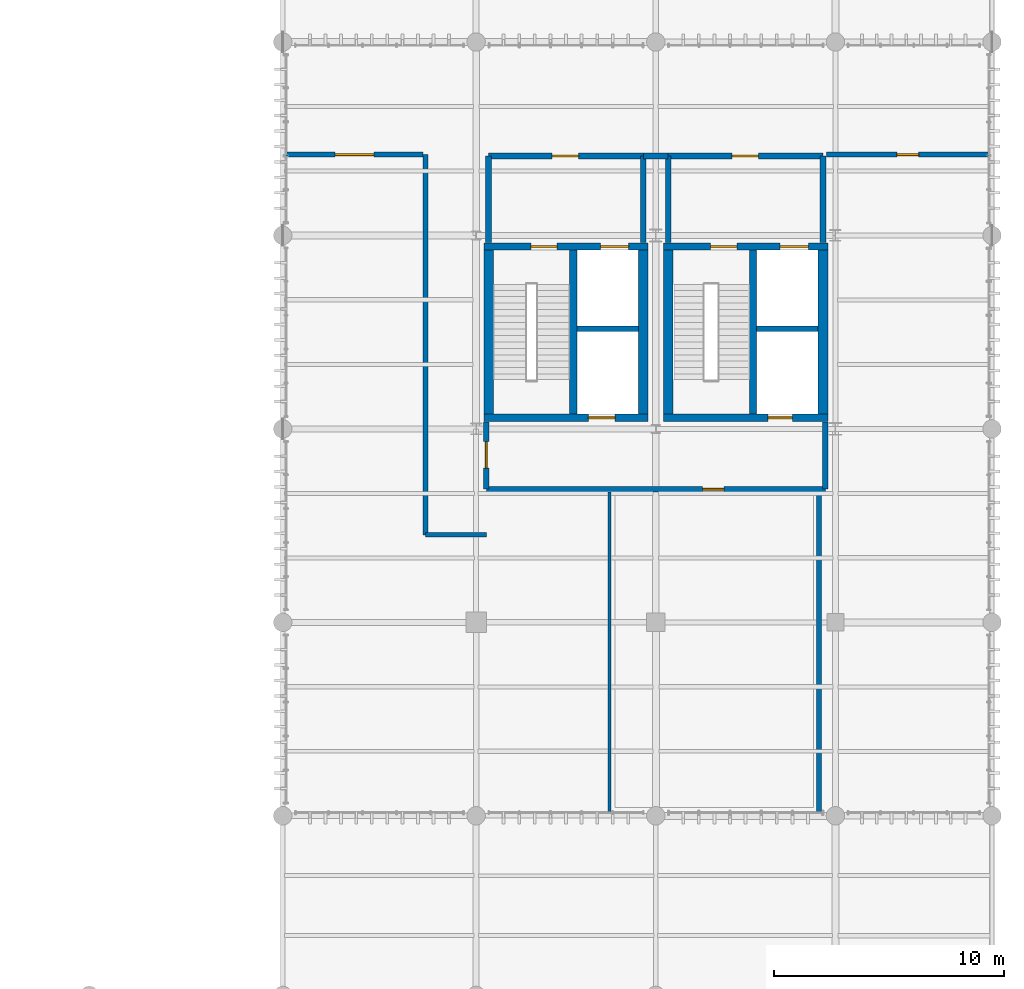
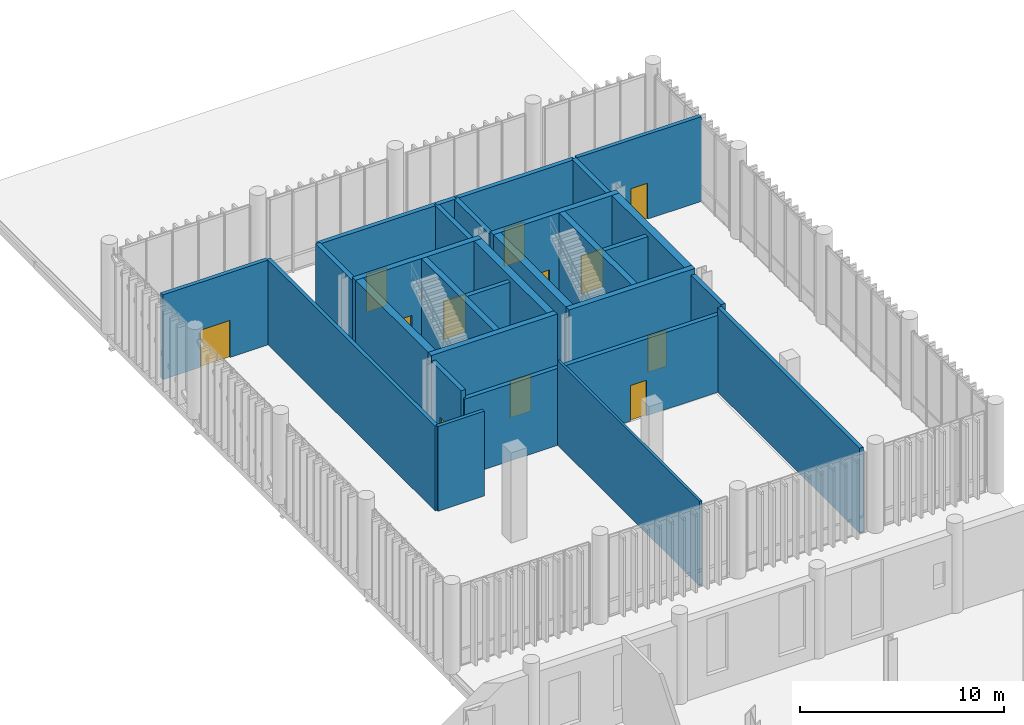
# One storey, part 113 of 128: 28 walls, 12 doors, 12 openings.
"""IFC4 building model written with IfcOpenShell, lengths in metres."""

from ifc_helpers import new_model, si_unit, direction, frame, frame_2d, origin_with_axes, place, context, subcontext, project, spatial, rectangle, extrude, material, layer, layer_set, type_object, element, fill, save


model = new_model("IFC4")

# Units and contexts
model_context = context("Model", 3, precision=1e-05, world=origin_with_axes(), true_north=direction((0.0, 1.0)))
body_context = subcontext(model_context, "Body", "Model", "MODEL_VIEW")
ifc_project = project(units=[si_unit("LENGTHUNIT", "METRE"), si_unit("AREAUNIT", "SQUARE_METRE"), si_unit("VOLUMEUNIT", "CUBIC_METRE"), si_unit("PLANEANGLEUNIT", "RADIAN"), si_unit("MASSUNIT", "GRAM", prefix="KILO"), si_unit("THERMODYNAMICTEMPERATUREUNIT", "KELVIN")], contexts=[model_context])

# Site, building, storey
site_placement = place(None, origin_with_axes())
site = spatial("IfcSite", under=ifc_project, at=site_placement, CompositionType="ELEMENT")
building_placement = place(site_placement, origin_with_axes())
building = spatial("IfcBuilding", under=site, at=building_placement, Name="Montbau Bow Law Courts", CompositionType="ELEMENT")
storey_placement = place(building_placement, frame((0.0, 0.0, 5.4), z_axis=(0.0, 0.0, 1.0), x_axis=(1.0, 0.0, 0.0)))
storey = spatial("IfcBuildingStorey", under=building, at=storey_placement, Name="L01", CompositionType="ELEMENT", Elevation=5.4)

# Walls
ifc_material_1 = material(Name="Concrete CSA A23.1 f'c 45 MPa", Category="concrete")
ifc_layer_1 = layer(ifc_material_1, 0.42, Name="Shear Wall", Category="concrete")
ifc_layer_set_1 = layer_set([ifc_layer_1], Name="Concrete CSA A23.1 f'c 45 MPa")
wall_type_1 = type_object("IfcWallType", Name="W-COR-03", PredefinedType="SHEAR", material=ifc_layer_set_1)
for number, where, z_axis, x_axis, name in (
    (1, (154.26, 87.04, 5.4), (0.0, 0.0, 1.0), (0.0, 1.0, 0.0), "WC-L01-0285:wal_0352"),
    (2, (147.54, 94.16, 5.4), (0.0, 0.0, 1.0), (0.0, -1.0, 0.0), "WC-L01-0286:wal_0353"),
    (3, (162.06, 87.04, 5.4), (0.0, 0.0, 1.0), (0.0, 1.0, 0.0), "WC-L01-0397:wal_0464"),
    (4, (155.34, 94.16, 5.4), (0.0, 0.0, 1.0), (0.0, -1.0, 0.0), "WC-L01-0398:wal_0465"),
):
    element("IfcWall", number, at=place(None, frame(where, z_axis=z_axis, x_axis=x_axis)), inside=storey, type_object=wall_type_1, Name=name, PredefinedType="SHEAR", context=body_context, shape_type="SweptSolid", body=[
        extrude(rectangle(XDim=7.11999999999999, YDim=0.42, at=frame_2d((3.56, 0.0), x_axis=(1.0, 0.0))), origin_with_axes(), (0.0, 0.0, 1.0), 5.4),
    ])

# Wall, opening, door
ifc_layer_2 = layer(ifc_material_1, 0.32, Name="Shear Wall", Category="concrete")
ifc_layer_set_2 = layer_set([ifc_layer_2], Name="Concrete CSA A23.1 f'c 45 MPa")
wall_type_2 = type_object("IfcWallType", Name="W-COR-05", PredefinedType="SHEAR", material=ifc_layer_set_2)
wall_1_placement = place(None, frame((147.33, 86.88, 5.4), z_axis=(0.0, 0.0, 1.0), x_axis=(1.0, 0.0, 0.0)))
wall_1 = element("IfcWall", 5, at=wall_1_placement, inside=storey, type_object=wall_type_2, Name="WC-L01-0283:wal_0350", PredefinedType="SHEAR", context=body_context, shape_type="SweptSolid", body=[
    extrude(rectangle(XDim=7.139999999999986, YDim=0.32, at=frame_2d((3.57, 0.0), x_axis=(1.0, 0.0))), origin_with_axes(), (0.0, 0.0, 1.0), 5.4),
])
opening_1_placement = place(None, frame((152.45, 86.88, 5.4), z_axis=(0.0, 0.0, 1.0), x_axis=(1.0, 0.0, 0.0)))
opening_1 = element("IfcOpeningElement", 6, at=opening_1_placement, cuts=wall_1, Name="OP-LD-L01-EL-P4", PredefinedType="OPENING", context=body_context, shape_type="SweptSolid", body=[
    extrude(rectangle(XDim=1.16, YDim=2.2, at=frame_2d((0.0, 1.1), x_axis=(1.0, 0.0))), frame((0.0, 0.17, 0.0), z_axis=(0.0, -1.0, 0.0), x_axis=(1.0, 0.0, 0.0)), (0.0, 0.0, 1.0), 0.34),
])
ifc_material_2 = material(Name="Brushed Stainless Steel Elevator Landing Door", Category="steel")
door_type_1 = type_object("IfcDoorType", Name="LD-PUB-01", OperationType="NOTDEFINED", ParameterTakesPrecedence=False, PredefinedType="DOOR", material=ifc_material_2)
door_1_placement = place(None, frame((152.45, 86.88, 5.4), z_axis=(0.0, 0.0, 1.0), x_axis=(-1.0, 0.0, 0.0)))
door_1 = element("IfcDoor", 7, at=door_1_placement, inside=storey, type_object=door_type_1, Name="LD-L01-EL-P4:dor_0146", OperationType="SLIDING_TO_LEFT", OverallHeight=2.2, OverallWidth=1.16, PredefinedType="DOOR", context=body_context, shape_type="SweptSolid", body=[
    extrude(rectangle(XDim=1.16, YDim=2.2, at=frame_2d((0.0, 1.1), x_axis=(1.0, 0.0))), frame((0.0, 0.04, 0.0), z_axis=(0.0, -1.0, 0.0), x_axis=(1.0, 0.0, 0.0)), (0.0, 0.0, 1.0), 0.08),
])
fill(opening_1, door_1)

# Wall, openings, doors
wall_2_placement = place(None, frame((154.47, 94.32, 5.4), z_axis=(0.0, 0.0, 1.0), x_axis=(-1.0, 0.0, 0.0)))
wall_2 = element("IfcWall", 8, at=wall_2_placement, inside=storey, type_object=wall_type_2, Name="WC-L01-0284:wal_0351", PredefinedType="SHEAR", context=body_context, shape_type="SweptSolid", body=[
    extrude(rectangle(XDim=7.139999999999986, YDim=0.32, at=frame_2d((3.57, 0.0), x_axis=(1.0, 0.0))), origin_with_axes(), (0.0, 0.0, 1.0), 5.4),
])
opening_2_placement = place(None, frame((149.95, 94.32, 5.4), z_axis=(0.0, 0.0, 1.0), x_axis=(-1.0, 0.0, 0.0)))
opening_2 = element("IfcOpeningElement", 9, at=opening_2_placement, cuts=wall_2, Name="OP-D-L01-ST-P2", PredefinedType="OPENING", context=body_context, shape_type="SweptSolid", body=[
    extrude(rectangle(XDim=1.14, YDim=2.18, at=frame_2d((0.0, 1.09), x_axis=(1.0, 0.0))), frame((0.0, 0.17, 0.0), z_axis=(0.0, -1.0, 0.0), x_axis=(1.0, 0.0, 0.0)), (0.0, 0.0, 1.0), 0.34),
])
opening_3_placement = place(None, frame((153.01, 94.32, 5.4), z_axis=(0.0, 0.0, 1.0), x_axis=(-1.0, 0.0, 0.0)))
opening_3 = element("IfcOpeningElement", 10, at=opening_3_placement, cuts=wall_2, Name="OP-LD-L01-EL-FF1", PredefinedType="OPENING", context=body_context, shape_type="SweptSolid", body=[
    extrude(rectangle(XDim=1.22, YDim=2.28, at=frame_2d((0.0, 1.14), x_axis=(1.0, 0.0))), frame((0.0, 0.17, 0.0), z_axis=(0.0, -1.0, 0.0), x_axis=(1.0, 0.0, 0.0)), (0.0, 0.0, 1.0), 0.34),
])
ifc_material_3 = material(Name="1.5 h Fire-Rated Hollow-Metal Exit Stair Door", Category="steel")
door_type_2 = type_object("IfcDoorType", Name="D-ST-01", OperationType="NOTDEFINED", ParameterTakesPrecedence=False, PredefinedType="DOOR", material=ifc_material_3)
door_2_placement = place(None, frame((149.95, 94.32, 5.4), z_axis=(0.0, 0.0, 1.0), x_axis=(1.0, 0.0, 0.0)))
door_2 = element("IfcDoor", 11, at=door_2_placement, inside=storey, type_object=door_type_2, Name="D-L01-ST-P2:dor_0144", OperationType="SINGLE_SWING_LEFT", OverallHeight=2.18, OverallWidth=1.14, PredefinedType="DOOR", context=body_context, shape_type="SweptSolid", body=[
    extrude(rectangle(XDim=1.14, YDim=2.18, at=frame_2d((0.0, 1.09), x_axis=(1.0, 0.0))), frame((0.0, 0.04, 0.0), z_axis=(0.0, -1.0, 0.0), x_axis=(1.0, 0.0, 0.0)), (0.0, 0.0, 1.0), 0.08),
])
fill(opening_2, door_2)
ifc_material_4 = material(Name="CSA B44 Firefighters Elevator Landing Door", Category="steel")
door_type_3 = type_object("IfcDoorType", Name="LD-FFE-01", OperationType="NOTDEFINED", ParameterTakesPrecedence=False, PredefinedType="DOOR", material=ifc_material_4)
door_3_placement = place(None, frame((153.01, 94.32, 5.4), z_axis=(0.0, 0.0, 1.0), x_axis=(1.0, 0.0, 0.0)))
door_3 = element("IfcDoor", 12, at=door_3_placement, inside=storey, type_object=door_type_3, Name="LD-L01-EL-FF1:dor_0145", OperationType="SLIDING_TO_LEFT", OverallHeight=2.28, OverallWidth=1.22, PredefinedType="DOOR", context=body_context, shape_type="SweptSolid", body=[
    extrude(rectangle(XDim=1.22, YDim=2.28, at=frame_2d((0.0, 1.14), x_axis=(1.0, 0.0))), frame((0.0, 0.04, 0.0), z_axis=(0.0, -1.0, 0.0), x_axis=(1.0, 0.0, 0.0)), (0.0, 0.0, 1.0), 0.08),
])
fill(opening_3, door_3)

# Wall
wall_3_placement = place(None, frame((151.22, 87.04, 5.4), z_axis=(0.0, 0.0, 1.0), x_axis=(0.0, 1.0, 0.0)))
element("IfcWall", 13, at=wall_3_placement, inside=storey, type_object=wall_type_2, Name="WS-L01-0287:wal_0354", PredefinedType="SHEAR", context=body_context, shape_type="SweptSolid", body=[
    extrude(rectangle(XDim=7.11999999999999, YDim=0.32, at=frame_2d((3.56, 0.0), x_axis=(1.0, 0.0))), origin_with_axes(), (0.0, 0.0, 1.0), 5.4),
])

# Wall, opening, door
wall_4_placement = place(None, frame((155.13, 86.88, 5.4), z_axis=(0.0, 0.0, 1.0), x_axis=(1.0, 0.0, 0.0)))
wall_4 = element("IfcWall", 14, at=wall_4_placement, inside=storey, type_object=wall_type_2, Name="WC-L01-0395:wal_0462", PredefinedType="SHEAR", context=body_context, shape_type="SweptSolid", body=[
    extrude(rectangle(XDim=7.140000000000015, YDim=0.32, at=frame_2d((3.57, 0.0), x_axis=(1.0, 0.0))), origin_with_axes(), (0.0, 0.0, 1.0), 5.4),
])
opening_4_placement = place(None, frame((160.2, 86.88, 5.4), z_axis=(0.0, 0.0, 1.0), x_axis=(1.0, 0.0, 0.0)))
opening_4 = element("IfcOpeningElement", 15, at=opening_4_placement, cuts=wall_4, Name="OP-LD-L01-EL-J2", PredefinedType="OPENING", context=body_context, shape_type="SweptSolid", body=[
    extrude(rectangle(XDim=1.06, YDim=2.16, at=frame_2d((0.0, 1.08), x_axis=(1.0, 0.0))), frame((0.0, 0.17, 0.0), z_axis=(0.0, -1.0, 0.0), x_axis=(1.0, 0.0, 0.0)), (0.0, 0.0, 1.0), 0.34),
])
ifc_material_5 = material(Name="Bronze-Clad Judicial Elevator Landing Door", Category="steel")
door_type_4 = type_object("IfcDoorType", Name="LD-JUD-01", OperationType="NOTDEFINED", ParameterTakesPrecedence=False, PredefinedType="DOOR", material=ifc_material_5)
door_4_placement = place(None, frame((160.2, 86.88, 5.4), z_axis=(0.0, 0.0, 1.0), x_axis=(-1.0, 0.0, 0.0)))
door_4 = element("IfcDoor", 16, at=door_4_placement, inside=storey, type_object=door_type_4, Name="LD-L01-EL-J2:dor_0187", OperationType="SLIDING_TO_LEFT", OverallHeight=2.16, OverallWidth=1.06, PredefinedType="DOOR", context=body_context, shape_type="SweptSolid", body=[
    extrude(rectangle(XDim=1.06, YDim=2.16, at=frame_2d((0.0, 1.08), x_axis=(1.0, 0.0))), frame((0.0, 0.04, 0.0), z_axis=(0.0, -1.0, 0.0), x_axis=(1.0, 0.0, 0.0)), (0.0, 0.0, 1.0), 0.08),
])
fill(opening_4, door_4)

# Wall, openings, doors
wall_5_placement = place(None, frame((162.27, 94.32, 5.4), z_axis=(0.0, 0.0, 1.0), x_axis=(-1.0, 0.0, 0.0)))
wall_5 = element("IfcWall", 17, at=wall_5_placement, inside=storey, type_object=wall_type_2, Name="WC-L01-0396:wal_0463", PredefinedType="SHEAR", context=body_context, shape_type="SweptSolid", body=[
    extrude(rectangle(XDim=7.140000000000015, YDim=0.32, at=frame_2d((3.57, 0.0), x_axis=(1.0, 0.0))), origin_with_axes(), (0.0, 0.0, 1.0), 5.4),
])
opening_5_placement = place(None, frame((157.75, 94.32, 5.4), z_axis=(0.0, 0.0, 1.0), x_axis=(-1.0, 0.0, 0.0)))
opening_5 = element("IfcOpeningElement", 18, at=opening_5_placement, cuts=wall_5, Name="OP-D-L01-ST-J2", PredefinedType="OPENING", context=body_context, shape_type="SweptSolid", body=[
    extrude(rectangle(XDim=1.14, YDim=2.18, at=frame_2d((0.0, 1.09), x_axis=(1.0, 0.0))), frame((0.0, 0.17, 0.0), z_axis=(0.0, -1.0, 0.0), x_axis=(1.0, 0.0, 0.0)), (0.0, 0.0, 1.0), 0.34),
])
opening_6_placement = place(None, frame((160.81, 94.32, 5.4), z_axis=(0.0, 0.0, 1.0), x_axis=(-1.0, 0.0, 0.0)))
opening_6 = element("IfcOpeningElement", 19, at=opening_6_placement, cuts=wall_5, Name="OP-LD-L01-EL-FF2", PredefinedType="OPENING", context=body_context, shape_type="SweptSolid", body=[
    extrude(rectangle(XDim=1.22, YDim=2.28, at=frame_2d((0.0, 1.14), x_axis=(1.0, 0.0))), frame((0.0, 0.17, 0.0), z_axis=(0.0, -1.0, 0.0), x_axis=(1.0, 0.0, 0.0)), (0.0, 0.0, 1.0), 0.34),
])
door_5_placement = place(None, frame((157.75, 94.32, 5.4), z_axis=(0.0, 0.0, 1.0), x_axis=(1.0, 0.0, 0.0)))
door_5 = element("IfcDoor", 20, at=door_5_placement, inside=storey, type_object=door_type_2, Name="D-L01-ST-J2:dor_0185", OperationType="SINGLE_SWING_RIGHT", OverallHeight=2.18, OverallWidth=1.14, PredefinedType="DOOR", context=body_context, shape_type="SweptSolid", body=[
    extrude(rectangle(XDim=1.14, YDim=2.18, at=frame_2d((0.0, 1.09), x_axis=(1.0, 0.0))), frame((0.0, 0.04, 0.0), z_axis=(0.0, -1.0, 0.0), x_axis=(1.0, 0.0, 0.0)), (0.0, 0.0, 1.0), 0.08),
])
fill(opening_5, door_5)
door_6_placement = place(None, frame((160.81, 94.32, 5.4), z_axis=(0.0, 0.0, 1.0), x_axis=(1.0, 0.0, 0.0)))
door_6 = element("IfcDoor", 21, at=door_6_placement, inside=storey, type_object=door_type_3, Name="LD-L01-EL-FF2:dor_0186", OperationType="SLIDING_TO_LEFT", OverallHeight=2.28, OverallWidth=1.22, PredefinedType="DOOR", context=body_context, shape_type="SweptSolid", body=[
    extrude(rectangle(XDim=1.22, YDim=2.28, at=frame_2d((0.0, 1.14), x_axis=(1.0, 0.0))), frame((0.0, 0.04, 0.0), z_axis=(0.0, -1.0, 0.0), x_axis=(1.0, 0.0, 0.0)), (0.0, 0.0, 1.0), 0.08),
])
fill(opening_6, door_6)

# Walls
wall_6_placement = place(None, frame((159.02, 87.04, 5.4), z_axis=(0.0, 0.0, 1.0), x_axis=(0.0, 1.0, 0.0)))
element("IfcWall", 22, at=wall_6_placement, inside=storey, type_object=wall_type_2, Name="WS-L01-0399:wal_0466", PredefinedType="SHEAR", context=body_context, shape_type="SweptSolid", body=[
    extrude(rectangle(XDim=7.11999999999999, YDim=0.32, at=frame_2d((3.56, 0.0), x_axis=(1.0, 0.0))), origin_with_axes(), (0.0, 0.0, 1.0), 5.4),
])
ifc_material_6 = material(Name="2 h Shaft and Exit-Passage Fire Separation Partition", Category="gypsum")
ifc_layer_3 = layer(ifc_material_6, 0.25, Name="Partition", Category="gypsum")
ifc_layer_set_3 = layer_set([ifc_layer_3], Name="2 h Shaft and Exit-Passage Fire Separation Partition")
wall_type_3 = type_object("IfcWallType", Name="W-PRT-01", PredefinedType="PARTITIONING", material=ifc_layer_set_3)
wall_7_placement = place(None, frame((151.38, 90.749, 5.4), z_axis=(0.0, 0.0, 1.0), x_axis=(1.0, 0.0, 0.0)))
element("IfcWall", 23, at=wall_7_placement, inside=storey, type_object=wall_type_3, Name="WS-L01-0288:wal_0355", PredefinedType="PARTITIONING", context=body_context, shape_type="SweptSolid", body=[
    extrude(rectangle(XDim=2.670000000000016, YDim=0.25, at=frame_2d((1.335, 0.0), x_axis=(1.0, 0.0))), origin_with_axes(), (0.0, 0.0, 1.0), 5.08),
])

# Wall, opening, door
wall_8_placement = place(None, frame((154.26, 98.25, 5.4), z_axis=(0.0, 0.0, 1.0), x_axis=(-1.0, 0.0, 0.0)))
wall_8 = element("IfcWall", 24, at=wall_8_placement, inside=storey, type_object=wall_type_3, Name="WFF-L01-0289:wal_0356", PredefinedType="PARTITIONING", context=body_context, shape_type="SweptSolid", body=[
    extrude(rectangle(XDim=6.719999999999999, YDim=0.25, at=frame_2d((3.36, 0.0), x_axis=(1.0, 0.0))), origin_with_axes(), (0.0, 0.0, 1.0), 5.08),
])
opening_7_placement = place(None, frame((150.875, 98.25, 5.4), z_axis=(0.0, 0.0, 1.0), x_axis=(-1.0, 0.0, 0.0)))
opening_7 = element("IfcOpeningElement", 25, at=opening_7_placement, cuts=wall_8, Name="OP-D-L01-FFL5", PredefinedType="OPENING", context=body_context, shape_type="SweptSolid", body=[
    extrude(rectangle(XDim=1.15, YDim=2.25, at=frame_2d((0.0, 1.125), x_axis=(1.0, 0.0))), frame((0.0, 0.135, 0.0), z_axis=(0.0, -1.0, 0.0), x_axis=(1.0, 0.0, 0.0)), (0.0, 0.0, 1.0), 0.27),
])
ifc_material_7 = material(Name="1.5 h Smoke-Sealed Firefighters Lobby Door", Category="steel")
door_type_5 = type_object("IfcDoorType", Name="D-FFL-01", OperationType="NOTDEFINED", ParameterTakesPrecedence=False, PredefinedType="DOOR", material=ifc_material_7)
door_7_placement = place(None, frame((150.875, 98.25, 5.4), z_axis=(0.0, 0.0, 1.0), x_axis=(1.0, 0.0, 0.0)))
door_7 = element("IfcDoor", 26, at=door_7_placement, inside=storey, type_object=door_type_5, Name="D-L01-FFL5:dor_0147", OperationType="SINGLE_SWING_RIGHT", OverallHeight=2.25, OverallWidth=1.15, PredefinedType="DOOR", context=body_context, shape_type="SweptSolid", body=[
    extrude(rectangle(XDim=1.15, YDim=2.25, at=frame_2d((0.0, 1.125), x_axis=(1.0, 0.0))), frame((0.0, 0.04, 0.0), z_axis=(0.0, -1.0, 0.0), x_axis=(1.0, 0.0, 0.0)), (0.0, 0.0, 1.0), 0.08),
])
fill(opening_7, door_7)

# Walls
for number, where, z_axis, x_axis, name in (
    (27, (147.54, 94.5, 5.4), (0.0, 0.0, 1.0), (0.0, 1.0, 0.0), "WFF-L01-0290:wal_0357"),
    (28, (154.26, 94.5, 5.4), (0.0, 0.0, 1.0), (0.0, 1.0, 0.0), "WFF-L01-0291:wal_0358"),
):
    element("IfcWall", number, at=place(None, frame(where, z_axis=z_axis, x_axis=x_axis)), inside=storey, type_object=wall_type_3, Name=name, PredefinedType="PARTITIONING", context=body_context, shape_type="SweptSolid", body=[
        extrude(rectangle(XDim=3.75, YDim=0.25, at=frame_2d((1.875, 0.0), x_axis=(1.0, 0.0))), origin_with_axes(), (0.0, 0.0, 1.0), 5.08),
    ])

# Wall, opening, door
wall_9_placement = place(None, frame((147.44, 83.78, 5.4), z_axis=(0.0, 0.0, 1.0), x_axis=(1.0, 0.0, 0.0)))
wall_9 = element("IfcWall", 29, at=wall_9_placement, inside=storey, type_object=wall_type_3, Name="WEL-L01-0292:wal_0359", PredefinedType="PARTITIONING", context=body_context, shape_type="SweptSolid", body=[
    extrude(rectangle(XDim=14.719999999999999, YDim=0.25, at=frame_2d((7.36, 0.0), x_axis=(1.0, 0.0))), origin_with_axes(), (0.0, 0.0, 1.0), 4.61),
])
opening_8_placement = place(None, frame((157.294, 83.78, 5.4), z_axis=(0.0, 0.0, 1.0), x_axis=(1.0, 0.0, 0.0)))
opening_8 = element("IfcOpeningElement", 30, at=opening_8_placement, cuts=wall_9, Name="OP-D-L01-291", PredefinedType="OPENING", context=body_context, shape_type="SweptSolid", body=[
    extrude(rectangle(XDim=0.92, YDim=2.14, at=frame_2d((0.0, 1.07), x_axis=(1.0, 0.0))), frame((0.0, 0.135, 0.0), z_axis=(0.0, -1.0, 0.0), x_axis=(1.0, 0.0, 0.0)), (0.0, 0.0, 1.0), 0.27),
])
ifc_material_8 = material(Name="Judicial Law Clerk and Registry Office Oak Door", Category="wood")
door_type_6 = type_object("IfcDoorType", Name="D-OFF-01", OperationType="NOTDEFINED", ParameterTakesPrecedence=False, PredefinedType="DOOR", material=ifc_material_8)
door_8_placement = place(None, frame((157.294, 83.78, 5.4), z_axis=(0.0, 0.0, 1.0), x_axis=(1.0, 0.0, 0.0)))
door_8 = element("IfcDoor", 31, at=door_8_placement, inside=storey, type_object=door_type_6, Name="D-L01-291:dor_0326", OperationType="SINGLE_SWING_LEFT", OverallHeight=2.14, OverallWidth=0.92, PredefinedType="DOOR", context=body_context, shape_type="SweptSolid", body=[
    extrude(rectangle(XDim=0.92, YDim=2.14, at=frame_2d((0.0, 1.07), x_axis=(1.0, 0.0))), frame((0.0, 0.04, 0.0), z_axis=(0.0, -1.0, 0.0), x_axis=(1.0, 0.0, 0.0)), (0.0, 0.0, 1.0), 0.08),
])
fill(opening_8, door_8)

# Wall
wall_10_placement = place(None, frame((162.16, 83.78, 5.4), z_axis=(0.0, 0.0, 1.0), x_axis=(0.0, 1.0, 0.0)))
element("IfcWall", 32, at=wall_10_placement, inside=storey, type_object=wall_type_3, Name="WEL-L01-0293:wal_0360", PredefinedType="PARTITIONING", context=body_context, shape_type="SweptSolid", body=[
    extrude(rectangle(XDim=2.9200000000000017, YDim=0.25, at=frame_2d((1.46, 0.0), x_axis=(1.0, 0.0))), origin_with_axes(), (0.0, 0.0, 1.0), 5.08),
])

# Wall, opening, door
wall_11_placement = place(None, frame((147.44, 86.7, 5.4), z_axis=(0.0, 0.0, 1.0), x_axis=(0.0, -1.0, 0.0)))
wall_11 = element("IfcWall", 33, at=wall_11_placement, inside=storey, type_object=wall_type_3, Name="WEL-L01-0294:wal_0361", PredefinedType="PARTITIONING", context=body_context, shape_type="SweptSolid", body=[
    extrude(rectangle(XDim=2.9200000000000017, YDim=0.25, at=frame_2d((1.46, 0.0), x_axis=(1.0, 0.0))), origin_with_axes(), (0.0, 0.0, 1.0), 5.08),
])
opening_9_placement = place(None, frame((147.44, 85.275, 5.4), z_axis=(0.0, 0.0, 1.0), x_axis=(0.0, -1.0, 0.0)))
opening_9 = element("IfcOpeningElement", 34, at=opening_9_placement, cuts=wall_11, Name="OP-D-L01-ELB-NE", PredefinedType="OPENING", context=body_context, shape_type="SweptSolid", body=[
    extrude(rectangle(XDim=1.15, YDim=2.25, at=frame_2d((0.0, 1.125), x_axis=(1.0, 0.0))), frame((0.0, 0.135, 0.0), z_axis=(0.0, -1.0, 0.0), x_axis=(1.0, 0.0, 0.0)), (0.0, 0.0, 1.0), 0.27),
])
door_9_placement = place(None, frame((147.44, 85.275, 5.4), z_axis=(0.0, 0.0, 1.0), x_axis=(0.0, -1.0, 0.0)))
door_9 = element("IfcDoor", 35, at=door_9_placement, inside=storey, type_object=door_type_5, Name="D-L01-ELB-NE:dor_0148", OperationType="SINGLE_SWING_LEFT", OverallHeight=2.25, OverallWidth=1.15, PredefinedType="DOOR", context=body_context, shape_type="SweptSolid", body=[
    extrude(rectangle(XDim=1.15, YDim=2.25, at=frame_2d((0.0, 1.125), x_axis=(1.0, 0.0))), frame((0.0, 0.04, 0.0), z_axis=(0.0, -1.0, 0.0), x_axis=(1.0, 0.0, 0.0)), (0.0, 0.0, 1.0), 0.08),
])
fill(opening_9, door_9)

# Wall
wall_12_placement = place(None, frame((159.18, 90.749, 5.4), z_axis=(0.0, 0.0, 1.0), x_axis=(1.0, 0.0, 0.0)))
element("IfcWall", 36, at=wall_12_placement, inside=storey, type_object=wall_type_3, Name="WS-L01-0400:wal_0467", PredefinedType="PARTITIONING", context=body_context, shape_type="SweptSolid", body=[
    extrude(rectangle(XDim=2.6699999999999875, YDim=0.25, at=frame_2d((1.335, 0.0), x_axis=(1.0, 0.0))), origin_with_axes(), (0.0, 0.0, 1.0), 5.08),
])

# Wall, opening, door
wall_13_placement = place(None, frame((162.06, 98.25, 5.4), z_axis=(0.0, 0.0, 1.0), x_axis=(-1.0, 0.0, 0.0)))
wall_13 = element("IfcWall", 37, at=wall_13_placement, inside=storey, type_object=wall_type_3, Name="WFF-L01-0401:wal_0468", PredefinedType="PARTITIONING", context=body_context, shape_type="SweptSolid", body=[
    extrude(rectangle(XDim=6.719999999999999, YDim=0.25, at=frame_2d((3.36, 0.0), x_axis=(1.0, 0.0))), origin_with_axes(), (0.0, 0.0, 1.0), 5.08),
])
opening_10_placement = place(None, frame((158.675, 98.25, 5.4), z_axis=(0.0, 0.0, 1.0), x_axis=(-1.0, 0.0, 0.0)))
opening_10 = element("IfcOpeningElement", 38, at=opening_10_placement, cuts=wall_13, Name="OP-D-L01-FFL6", PredefinedType="OPENING", context=body_context, shape_type="SweptSolid", body=[
    extrude(rectangle(XDim=1.15, YDim=2.25, at=frame_2d((0.0, 1.125), x_axis=(1.0, 0.0))), frame((0.0, 0.135, 0.0), z_axis=(0.0, -1.0, 0.0), x_axis=(1.0, 0.0, 0.0)), (0.0, 0.0, 1.0), 0.27),
])
door_10_placement = place(None, frame((158.675, 98.25, 5.4), z_axis=(0.0, 0.0, 1.0), x_axis=(1.0, 0.0, 0.0)))
door_10 = element("IfcDoor", 39, at=door_10_placement, inside=storey, type_object=door_type_5, Name="D-L01-FFL6:dor_0188", OperationType="SINGLE_SWING_LEFT", OverallHeight=2.25, OverallWidth=1.15, PredefinedType="DOOR", context=body_context, shape_type="SweptSolid", body=[
    extrude(rectangle(XDim=1.15, YDim=2.25, at=frame_2d((0.0, 1.125), x_axis=(1.0, 0.0))), frame((0.0, 0.04, 0.0), z_axis=(0.0, -1.0, 0.0), x_axis=(1.0, 0.0, 0.0)), (0.0, 0.0, 1.0), 0.08),
])
fill(opening_10, door_10)

# Walls
for number, where, z_axis, x_axis, name in (
    (40, (155.34, 94.5, 5.4), (0.0, 0.0, 1.0), (0.0, 1.0, 0.0), "WFF-L01-0402:wal_0469"),
    (41, (162.06, 94.5, 5.4), (0.0, 0.0, 1.0), (0.0, 1.0, 0.0), "WFF-L01-0403:wal_0470"),
):
    element("IfcWall", number, at=place(None, frame(where, z_axis=z_axis, x_axis=x_axis)), inside=storey, type_object=wall_type_3, Name=name, PredefinedType="PARTITIONING", context=body_context, shape_type="SweptSolid", body=[
        extrude(rectangle(XDim=3.75, YDim=0.25, at=frame_2d((1.875, 0.0), x_axis=(1.0, 0.0))), origin_with_axes(), (0.0, 0.0, 1.0), 5.08),
    ])
wall_14_placement = place(None, frame((154.26, 98.25, 5.4), z_axis=(0.0, 0.0, 1.0), x_axis=(1.0, 0.0, 0.0)))
element("IfcWall", 42, at=wall_14_placement, inside=storey, type_object=wall_type_3, Name="WFF-L01-0545:wal_0612", PredefinedType="PARTITIONING", context=body_context, shape_type="SweptSolid", body=[
    extrude(rectangle(XDim=1.0800000000000125, YDim=0.25, at=frame_2d((0.54, 0.0), x_axis=(1.0, 0.0))), origin_with_axes(), (0.0, 0.0, 1.0), 5.08),
])

# Wall, opening, door
ifc_material_9 = material(Name="STC-60 High-Acoustic Courtroom Perimeter Partition", Category="gypsum")
ifc_layer_4 = layer(ifc_material_9, 0.22, Name="Partition", Category="gypsum")
ifc_layer_set_4 = layer_set([ifc_layer_4], Name="STC-60 High-Acoustic Courtroom Perimeter Partition")
wall_type_4 = type_object("IfcWallType", Name="W-PRT-02", PredefinedType="PARTITIONING", material=ifc_layer_set_4)
wall_15_placement = place(None, frame((138.74, 98.31, 5.4), z_axis=(0.0, 0.0, 1.0), x_axis=(1.0, 0.0, 0.0)))
wall_15 = element("IfcWall", 43, at=wall_15_placement, inside=storey, type_object=wall_type_4, Name="WP-L01-0714:wal_0781", PredefinedType="PARTITIONING", context=body_context, shape_type="SweptSolid", body=[
    extrude(rectangle(XDim=5.9599999999999795, YDim=0.22, at=frame_2d((2.98, 0.0), x_axis=(1.0, 0.0))), origin_with_axes(), (0.0, 0.0, 1.0), 5.08),
])
opening_11_placement = place(None, frame((141.72, 98.31, 5.4), z_axis=(0.0, 0.0, 1.0), x_axis=(1.0, 0.0, 0.0)))
opening_11 = element("IfcOpeningElement", 44, at=opening_11_placement, cuts=wall_15, Name="OP-D-L01-290", PredefinedType="OPENING", context=body_context, shape_type="SweptSolid", body=[
    extrude(rectangle(XDim=1.68, YDim=2.22, at=frame_2d((0.0, 1.11), x_axis=(1.0, 0.0))), frame((0.0, 0.12, 0.0), z_axis=(0.0, -1.0, 0.0), x_axis=(1.0, 0.0, 0.0)), (0.0, 0.0, 1.0), 0.24),
])
ifc_material_10 = material(Name="2 h Evidence Vault and Court Archive Fire Door", Category="steel")
door_type_7 = type_object("IfcDoorType", Name="D-ARC-01", OperationType="NOTDEFINED", ParameterTakesPrecedence=False, PredefinedType="DOOR", material=ifc_material_10)
door_11_placement = place(None, frame((141.72, 98.31, 5.4), z_axis=(0.0, 0.0, 1.0), x_axis=(1.0, 0.0, 0.0)))
door_11 = element("IfcDoor", 45, at=door_11_placement, inside=storey, type_object=door_type_7, Name="D-L01-290:dor_0325", OperationType="DOUBLE_DOOR_SINGLE_SWING", OverallHeight=2.22, OverallWidth=1.68, PredefinedType="DOOR", context=body_context, shape_type="SweptSolid", body=[
    extrude(rectangle(XDim=1.68, YDim=2.22, at=frame_2d((0.0, 1.11), x_axis=(1.0, 0.0))), frame((0.0, 0.04, 0.0), z_axis=(0.0, -1.0, 0.0), x_axis=(1.0, 0.0, 0.0)), (0.0, 0.0, 1.0), 0.08),
])
fill(opening_11, door_11)

wall_16_placement = place(None, frame((162.22, 98.31, 5.4), z_axis=(0.0, 0.0, 1.0), x_axis=(1.0, 0.0, 0.0)))
wall_16 = element("IfcWall", 46, at=wall_16_placement, inside=storey, type_object=wall_type_4, Name="WP-L01-0715:wal_0782", PredefinedType="PARTITIONING", context=body_context, shape_type="SweptSolid", body=[
    extrude(rectangle(XDim=7.039999999999992, YDim=0.22, at=frame_2d((3.52, 0.0), x_axis=(1.0, 0.0))), origin_with_axes(), (0.0, 0.0, 1.0), 5.08),
])
opening_12_placement = place(None, frame((165.74, 98.31, 5.4), z_axis=(0.0, 0.0, 1.0), x_axis=(1.0, 0.0, 0.0)))
opening_12 = element("IfcOpeningElement", 47, at=opening_12_placement, cuts=wall_16, Name="OP-D-L01-292", PredefinedType="OPENING", context=body_context, shape_type="SweptSolid", body=[
    extrude(rectangle(XDim=0.95, YDim=2.16, at=frame_2d((0.0, 1.08), x_axis=(1.0, 0.0))), frame((0.0, 0.12, 0.0), z_axis=(0.0, -1.0, 0.0), x_axis=(1.0, 0.0, 0.0)), (0.0, 0.0, 1.0), 0.24),
])
ifc_material_11 = material(Name="Mediation and Witness Waiting Acoustic Oak Door", Category="wood")
door_type_8 = type_object("IfcDoorType", Name="D-MED-01", OperationType="NOTDEFINED", ParameterTakesPrecedence=False, PredefinedType="DOOR", material=ifc_material_11)
door_12_placement = place(None, frame((165.74, 98.31, 5.4), z_axis=(0.0, 0.0, 1.0), x_axis=(1.0, 0.0, 0.0)))
door_12 = element("IfcDoor", 48, at=door_12_placement, inside=storey, type_object=door_type_8, Name="D-L01-292:dor_0327", OperationType="SINGLE_SWING_RIGHT", OverallHeight=2.16, OverallWidth=0.95, PredefinedType="DOOR", context=body_context, shape_type="SweptSolid", body=[
    extrude(rectangle(XDim=0.95, YDim=2.16, at=frame_2d((0.0, 1.08), x_axis=(1.0, 0.0))), frame((0.0, 0.04, 0.0), z_axis=(0.0, -1.0, 0.0), x_axis=(1.0, 0.0, 0.0)), (0.0, 0.0, 1.0), 0.08),
])
fill(opening_12, door_12)

# Walls
wall_17_placement = place(None, frame((161.894, 69.74, 5.4), z_axis=(0.0, 0.0, 1.0), x_axis=(0.0, 1.0, 0.0)))
element("IfcWall", 49, at=wall_17_placement, inside=storey, type_object=wall_type_4, Name="WD-L01-0717:wal_0784", PredefinedType="PARTITIONING", context=body_context, shape_type="SweptSolid", body=[
    extrude(rectangle(XDim=13.920000000000002, YDim=0.22, at=frame_2d((6.96, 0.0), x_axis=(1.0, 0.0))), origin_with_axes(), (0.0, 0.0, 1.0), 5.08),
])
ifc_material_12 = material(Name="STC-55 Jury Deliberation Security Partition", Category="gypsum")
ifc_layer_5 = layer(ifc_material_12, 0.2, Name="Partition", Category="gypsum")
ifc_layer_set_5 = layer_set([ifc_layer_5], Name="STC-55 Jury Deliberation Security Partition")
wall_type_5 = type_object("IfcWallType", Name="W-PRT-03", PredefinedType="PARTITIONING", material=ifc_layer_set_5)
wall_18_placement = place(None, frame((144.8, 81.8, 5.4), z_axis=(0.0, 0.0, 1.0), x_axis=(0.0, 1.0, 0.0)))
element("IfcWall", 50, at=wall_18_placement, inside=storey, type_object=wall_type_5, Name="WCX-L01-0712:wal_0779", PredefinedType="PARTITIONING", context=body_context, shape_type="SweptSolid", body=[
    extrude(rectangle(XDim=16.510000000000005, YDim=0.2, at=frame_2d((8.255, 0.0), x_axis=(1.0, 0.0))), origin_with_axes(), (0.0, 0.0, 1.0), 5.08),
])
wall_19_placement = place(None, frame((144.8, 81.8, 5.4), z_axis=(0.0, 0.0, 1.0), x_axis=(1.0, 0.0, 0.0)))
element("IfcWall", 51, at=wall_19_placement, inside=storey, type_object=wall_type_5, Name="WCX-L01-0713:wal_0780", PredefinedType="PARTITIONING", context=body_context, shape_type="SweptSolid", body=[
    extrude(rectangle(XDim=2.6399999999999864, YDim=0.2, at=frame_2d((1.32, 0.0), x_axis=(1.0, 0.0))), origin_with_axes(), (0.0, 0.0, 1.0), 5.08),
])
ifc_material_13 = material(Name="1 h Registry Office Steel-Stud Fire Partition", Category="gypsum")
ifc_layer_6 = layer(ifc_material_13, 0.14, Name="Partition", Category="gypsum")
ifc_layer_set_6 = layer_set([ifc_layer_6], Name="1 h Registry Office Steel-Stud Fire Partition")
wall_type_6 = type_object("IfcWallType", Name="W-PRT-06", PredefinedType="PARTITIONING", material=ifc_layer_set_6)
wall_20_placement = place(None, frame((152.786, 69.74, 5.4), z_axis=(0.0, 0.0, 1.0), x_axis=(0.0, 1.0, 0.0)))
element("IfcWall", 52, at=wall_20_placement, inside=storey, type_object=wall_type_6, Name="WD-L01-0716:wal_0783", PredefinedType="PARTITIONING", context=body_context, shape_type="SweptSolid", body=[
    extrude(rectangle(XDim=13.920000000000002, YDim=0.14, at=frame_2d((6.96, 0.0), x_axis=(1.0, 0.0))), origin_with_axes(), (0.0, 0.0, 1.0), 5.08),
])

save(model, "model.ifc")
